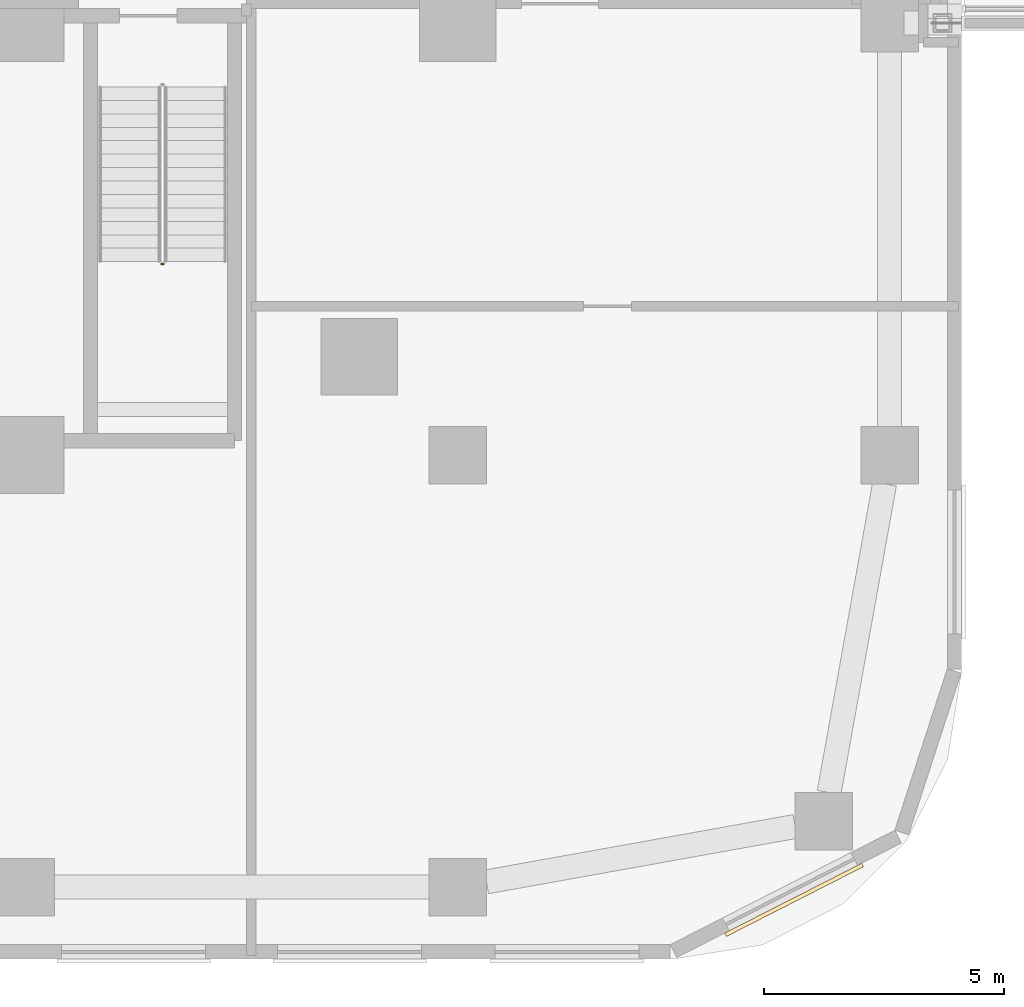
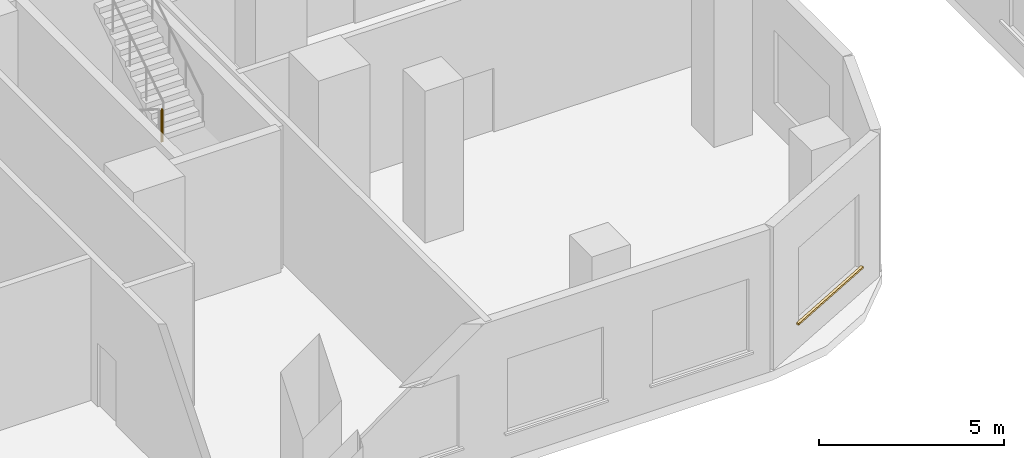
# One storey, part 30 of 35: 1 covering, 1 railing.
"""IFC4 building model written with IfcOpenShell, lengths in metres."""

from ifc_helpers import new_model, si_unit, direction, frame, origin, origin_2d, place, context, subcontext, project, spatial, rectangle, circle, extrude, material, layer, layer_set, type_object, element, save


model = new_model("IFC4")

# Units and contexts
model_context = context("Model", 3, precision=1e-05, world=origin(), true_north=direction((0.0, 1.0)))
body_context = subcontext(model_context, "Body", "Model", "MODEL_VIEW")
ifc_project = project(units=[si_unit("LENGTHUNIT", "METRE"), si_unit("AREAUNIT", "SQUARE_METRE"), si_unit("VOLUMEUNIT", "CUBIC_METRE"), si_unit("PLANEANGLEUNIT", "RADIAN"), si_unit("MASSUNIT", "GRAM", prefix="KILO")], contexts=[model_context])

# Site, building, storey
site_placement = place(None, origin())
site = spatial("IfcSite", under=ifc_project, at=site_placement, CompositionType="ELEMENT")
building_placement = place(site_placement, origin())
building = spatial("IfcBuilding", under=site, at=building_placement, Name="Ogive Portal Towers", CompositionType="ELEMENT")
storey_placement = place(building_placement, frame((0.0, 0.0, 23.5)))
storey = spatial("IfcBuildingStorey", under=building, at=storey_placement, Name="L04", CompositionType="ELEMENT", Elevation=23.5)

# Railing
ifc_material_1 = material(Name="Stainless steel balustrade", Category="steel")
railing_type = type_object("IfcRailingType", Name="INT-GUARD", PredefinedType="GUARDRAIL", material=ifc_material_1)
railing_placement = place(storey_placement, frame((88.330078125, 25.47998046875, 2.5)))
element("IfcRailing", 1, at=railing_placement, inside=storey, type_object=railing_type, Name="L04 ST-A4 stair guard 2", PredefinedType="GUARDRAIL", context=body_context, shape_type="SweptSolid", body=[
    extrude(circle(Radius=0.02392578125, at=origin_2d()), frame((0.0, 0.0, 1.076171875), z_axis=(1.0, 0.0, 0.0), x_axis=(0.0, 1.0, 0.0)), (0.0, 0.0, 1.0), 0.0400390625),
    extrude(circle(Radius=0.02099609375, at=origin_2d()), origin(), (0.0, 0.0, 1.0), 1.052001953125),
    extrude(circle(Radius=0.02099609375, at=origin_2d()), frame((0.0400390625, 0.0, 0.0)), (0.0, 0.0, 1.0), 1.052001953125),
])

# Covering
ifc_material_2 = material(Name="Limestone cladding on lightweight block wall", Category="masonry")
ifc_layer = layer(ifc_material_2, 0.080078125)
ifc_layer_set = layer_set([ifc_layer], Name="STONE SILL 80")
covering_type = type_object("IfcCoveringType", Name="STONE SILL 80", PredefinedType="CLADDING", material=ifc_layer_set)
covering_placement = place(storey_placement, frame((101.50927734375, 12.233642578125, 0.840087890625), z_axis=(0.0, 0.0, 1.0), x_axis=(0.891006524188, 0.45399049974, 0.0)))
element("IfcCovering", 2, at=covering_placement, inside=storey, type_object=covering_type, Name="Stone sill", PredefinedType="CLADDING", context=body_context, shape_type="SweptSolid", body=[
    extrude(rectangle(XDim=3.199951171875, YDim=0.080078125, at=origin_2d()), origin(), (0.0, 0.0, 1.0), 0.06005859375),
])

save(model, "model.ifc")
